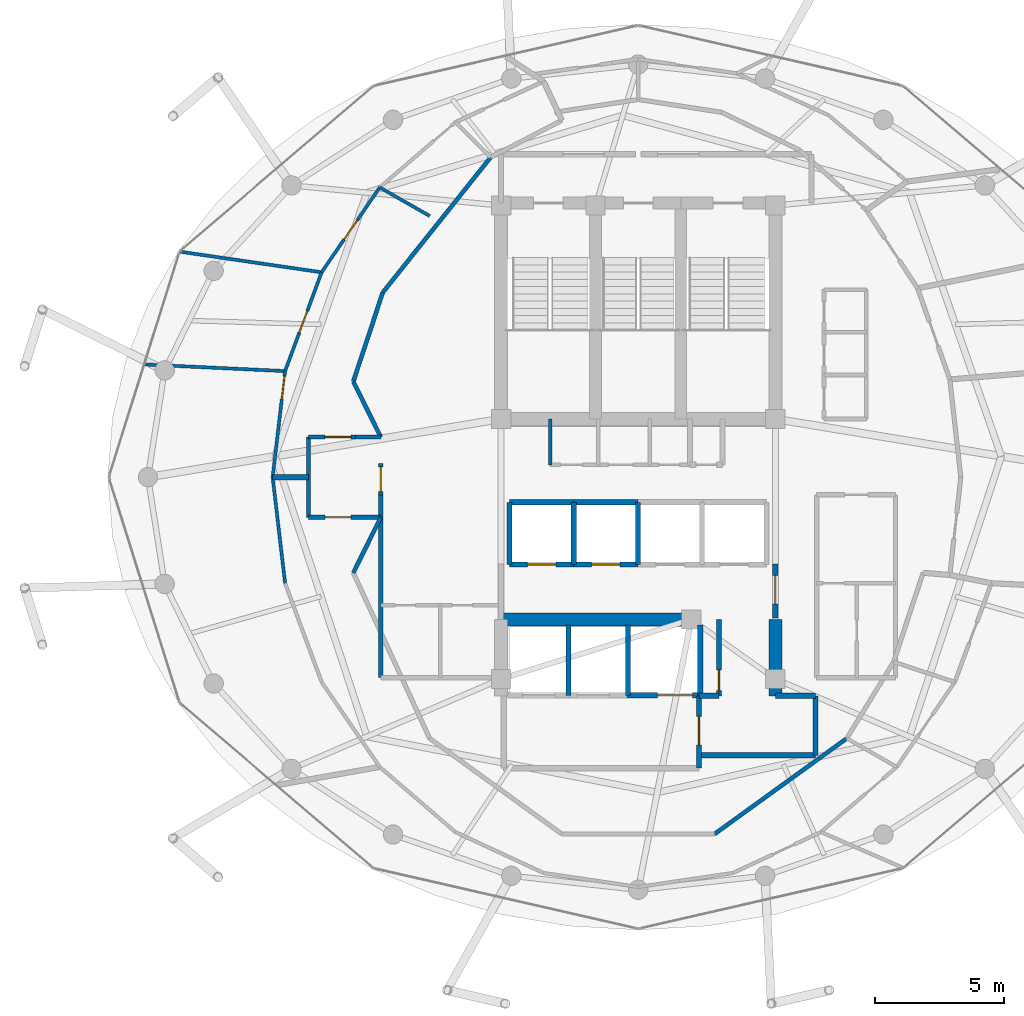
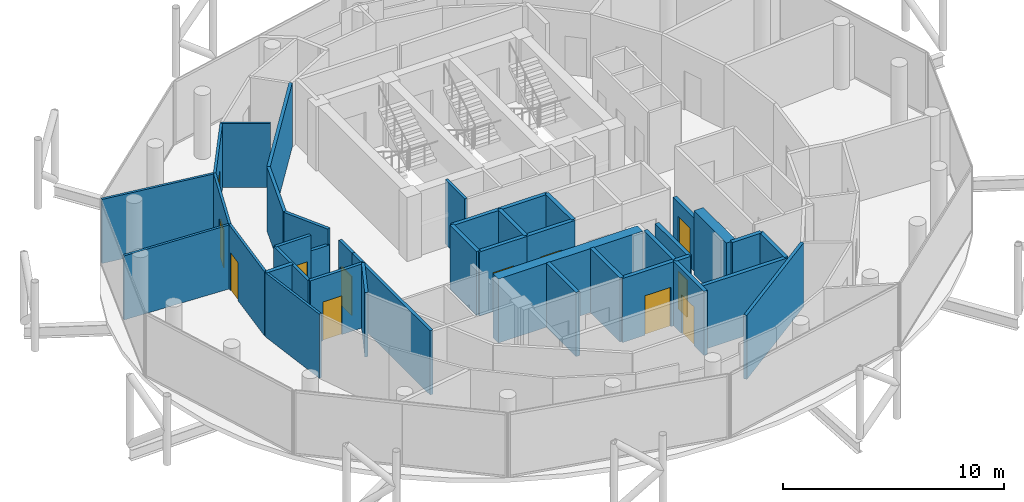
# One storey, part 20 of 24: 40 walls, 12 doors, 12 openings.
"""IFC4 building model written with IfcOpenShell, lengths in metres."""

from ifc_helpers import new_model, si_unit, direction, frame, frame_2d, origin, place, context, subcontext, project, spatial, rectangle, extrude, material, layer, layer_set, type_object, element, fill, save


model = new_model("IFC4")

# Units and contexts
model_context = context("Model", 3, precision=1e-05, world=origin(), true_north=direction((0.0, 1.0)))
body_context = subcontext(model_context, "Body", "Model", "MODEL_VIEW")
ifc_project = project(units=[si_unit("LENGTHUNIT", "METRE"), si_unit("AREAUNIT", "SQUARE_METRE"), si_unit("VOLUMEUNIT", "CUBIC_METRE"), si_unit("PLANEANGLEUNIT", "RADIAN"), si_unit("MASSUNIT", "GRAM", prefix="KILO")], contexts=[model_context])

# Site, building, storey
site_placement = place(None, origin())
site = spatial("IfcSite", under=ifc_project, at=site_placement, CompositionType="ELEMENT")
building_placement = place(site_placement, origin())
building = spatial("IfcBuilding", under=site, at=building_placement, Name="Nuhasar Tower", CompositionType="ELEMENT")
storey_placement = place(building_placement, frame((0.0, 0.0, 259.39990234375)))
storey = spatial("IfcBuildingStorey", under=building, at=storey_placement, Name="L64", CompositionType="ELEMENT", Elevation=259.39990234375)

# Walls
ifc_material_1 = material(Name="Concrete C50/60", Category="concrete")
ifc_layer_1 = layer(ifc_material_1, 0.5)
ifc_layer_set_1 = layer_set([ifc_layer_1], Name="Concrete C50/60")
wall_type_1 = type_object("IfcWallType", Name="WL-CORE-500", PredefinedType="SHEAR", material=ifc_layer_set_1)
wall_1_placement = place(storey_placement, frame((44.300048828125, 18.35009765625, 0.0), z_axis=(0.0, 0.0, 1.0), x_axis=(0.0, 1.0, 0.0)))
element("IfcWall", 1, at=wall_1_placement, inside=storey, type_object=wall_type_1, Name="L64 Core Shear Wall CW-SE CW-500", PredefinedType="SHEAR", context=body_context, shape_type="SweptSolid", body=[
    extrude(rectangle(XDim=2.949951171875, YDim=0.5, at=frame_2d((1.47509765625, 0.0))), origin(), (0.0, 0.0, 1.0), 3.5400390625),
])
wall_2_placement = place(storey_placement, frame((33.699951171875, 21.300048828125, 0.0), z_axis=(0.0, 0.0, 1.0), x_axis=(1.0, 0.0, 0.0)))
element("IfcWall", 2, at=wall_2_placement, inside=storey, type_object=wall_type_1, Name="L64 Core Shear Wall CW-S1 CW-500", PredefinedType="SHEAR", context=body_context, shape_type="SweptSolid", body=[
    extrude(rectangle(XDim=7.550048828125, YDim=0.5, at=frame_2d((3.77490234375, 0.0))), origin(), (0.0, 0.0, 1.0), 3.5400390625),
])
ifc_material_2 = material(Name="Gypsum Board", Category="gypsum")
ifc_layer_2 = layer(ifc_material_2, 0.159912109375)
ifc_layer_set_2 = layer_set([ifc_layer_2], Name="Gypsum Board")
wall_type_2 = type_object("IfcWallType", Name="WL-CORR-160", PredefinedType="PARTITIONING", material=ifc_layer_set_2)
wall_3_placement = place(storey_placement, frame((29.050048828125, 19.050048828125, 0.0), z_axis=(0.0, 0.0, 1.0), x_axis=(0.0, 1.0, 0.0)))
element("IfcWall", 3, at=wall_3_placement, inside=storey, type_object=wall_type_2, Name="L64 Interior Partition RECL-B1-W", PredefinedType="PARTITIONING", context=body_context, shape_type="SweptSolid", body=[
    extrude(rectangle(XDim=7.070068359375, YDim=0.159912109375, at=frame_2d((3.53515625, 0.0))), origin(), (0.0, 0.0, 1.0), 3.5400390625),
])

# Wall, opening, door
wall_4_placement = place(storey_placement, frame((29.050048828125, 26.1201171875, 0.0), z_axis=(0.0, 0.0, 1.0), x_axis=(0.0, 1.0, 0.0)))
wall_4 = element("IfcWall", 4, at=wall_4_placement, inside=storey, type_object=wall_type_2, Name="L64 Interior Partition WVEST-E", PredefinedType="PARTITIONING", context=body_context, shape_type="SweptSolid", body=[
    extrude(rectangle(XDim=1.199951171875, YDim=0.159912109375, at=frame_2d((0.60009765625, 0.0))), origin(), (0.0, 0.0, 1.0), 3.5400390625),
])
opening_1_placement = place(wall_4_placement, frame((0.125, 0.0, 0.0)))
opening_1 = element("IfcOpeningElement", 5, at=opening_1_placement, cuts=wall_4, Name="Opening DO-01", PredefinedType="OPENING", context=body_context, shape_type="SweptSolid", body=[
    extrude(rectangle(XDim=0.949951171875, YDim=2.14990234375, at=frame_2d((0.47509765625, 1.074951171875))), frame((0.0, 0.08984375, 0.0), z_axis=(0.0, -1.0, 0.0), x_axis=(1.0, 0.0, 0.0)), (0.0, 0.0, 1.0), 0.179931640625),
])
ifc_material_3 = material(Name="Timber Oak", Category="wood")
door_type_1 = type_object("IfcDoorType", Name="DR-OFFICE-FD30-950", OperationType="NOTDEFINED", PredefinedType="DOOR", material=ifc_material_3)
door_1_placement = place(opening_1_placement, origin())
door_1 = element("IfcDoor", 6, at=door_1_placement, inside=storey, type_object=door_type_1, Name="L64 West Arrival Foyer Core Door", OperationType="SINGLE_SWING_RIGHT", OverallHeight=2.14990234375, OverallWidth=0.949951171875, PredefinedType="DOOR", context=body_context, shape_type="SweptSolid", body=[
    extrude(rectangle(XDim=0.949951171875, YDim=2.14990234375, at=frame_2d((0.47509765625, 1.074951171875))), frame((0.0, 0.02490234375, 0.0), z_axis=(0.0, -1.0, 0.0), x_axis=(1.0, 0.0, 0.0)), (0.0, 0.0, 1.0), 0.050048828125),
])
fill(opening_1, door_1)

# Walls
wall_5_placement = place(storey_placement, frame((33.300048828125, 39.1669921875, 0.0), z_axis=(0.0, 0.0, 1.0), x_axis=(-0.623915746766, -0.781491612839, 0.0)))
element("IfcWall", 7, at=wall_5_placement, inside=storey, type_object=wall_type_2, Name="L64 Interior Partition UWEST-CORE-N2-16", PredefinedType="PARTITIONING", context=body_context, shape_type="SweptSolid", body=[
    extrude(rectangle(XDim=6.6884765625, YDim=0.159912109375, at=frame_2d((3.34423828125, 0.0))), origin(), (0.0, 0.0, 1.0), 3.5400390625),
])
wall_6_placement = place(storey_placement, frame((29.126953125, 33.93994140625, 0.0), z_axis=(0.0, 0.0, 1.0), x_axis=(-0.313985571683, -0.949427754374, 0.0)))
element("IfcWall", 8, at=wall_6_placement, inside=storey, type_object=wall_type_2, Name="L64 Interior Partition UWEST-CORE-N2-20", PredefinedType="PARTITIONING", context=body_context, shape_type="SweptSolid", body=[
    extrude(rectangle(XDim=3.627197265625, YDim=0.159912109375, at=frame_2d((1.8134765625, 0.0))), origin(), (0.0, 0.0, 1.0), 3.5400390625),
])
wall_7_placement = place(storey_placement, frame((41.950927734375, 13.007080078125, 0.0), z_axis=(0.0, 0.0, 1.0), x_axis=(0.810290119061, 0.586028943784, 0.0)))
element("IfcWall", 9, at=wall_7_placement, inside=storey, type_object=wall_type_2, Name="L64 Interior Partition UWEST-CORE-S1-38", PredefinedType="PARTITIONING", context=body_context, shape_type="SweptSolid", body=[
    extrude(rectangle(XDim=6.306396484375, YDim=0.159912109375, at=frame_2d((3.1533203125, 0.0))), origin(), (0.0, 0.0, 1.0), 3.5400390625),
])

# Wall, opening, door
wall_8_placement = place(storey_placement, frame((26.25, 28.35009765625, 0.0), z_axis=(0.0, 0.0, 1.0), x_axis=(1.0, 0.0, 0.0)))
wall_8 = element("IfcWall", 10, at=wall_8_placement, inside=storey, type_object=wall_type_2, Name="L64 Interior Partition WVEST-N", PredefinedType="PARTITIONING", context=body_context, shape_type="SweptSolid", body=[
    extrude(rectangle(XDim=1.820068359375, YDim=0.159912109375, at=frame_2d((0.91015625, 0.0))), origin(), (0.0, 0.0, 1.0), 3.5400390625),
])
opening_2_placement = place(wall_8_placement, frame((0.64990234375, 0.0, 0.0)))
opening_2 = element("IfcOpeningElement", 11, at=opening_2_placement, cuts=wall_8, Name="Opening DU-02", PredefinedType="OPENING", context=body_context, shape_type="SweptSolid", body=[
    extrude(rectangle(XDim=1.0, YDim=2.14990234375, at=frame_2d((0.5, 1.074951171875))), frame((0.0, 0.08984375, 0.0), z_axis=(0.0, -1.0, 0.0), x_axis=(1.0, 0.0, 0.0)), (0.0, 0.0, 1.0), 0.179931640625),
])
door_type_2 = type_object("IfcDoorType", Name="DR-FLAT-FD60-1000", OperationType="NOTDEFINED", PredefinedType="DOOR", material=ifc_material_3)
door_2_placement = place(opening_2_placement, origin())
door_2 = element("IfcDoor", 12, at=door_2_placement, inside=storey, type_object=door_type_2, Name="L64 North-West Sky Home Entrance", OperationType="SINGLE_SWING_LEFT", OverallHeight=2.14990234375, OverallWidth=1.0, PredefinedType="DOOR", context=body_context, shape_type="SweptSolid", body=[
    extrude(rectangle(XDim=1.0, YDim=2.14990234375, at=frame_2d((0.5, 1.074951171875))), frame((0.0, 0.02490234375, 0.0), z_axis=(0.0, -1.0, 0.0), x_axis=(1.0, 0.0, 0.0)), (0.0, 0.0, 1.0), 0.050048828125),
])
fill(opening_2, door_2)

# Wall
wall_9_placement = place(storey_placement, frame((28.070068359375, 28.35009765625, 0.0), z_axis=(0.0, 0.0, 1.0), x_axis=(1.0, 0.0, 0.0)))
element("IfcWall", 13, at=wall_9_placement, inside=storey, type_object=wall_type_2, Name="L64 Interior Partition WVEST-N", PredefinedType="PARTITIONING", context=body_context, shape_type="SweptSolid", body=[
    extrude(rectangle(XDim=0.97998046875, YDim=0.159912109375, at=frame_2d((0.489990234375, 0.0))), origin(), (0.0, 0.0, 1.0), 2.68017578125),
])

# Wall, opening, door
wall_10_placement = place(storey_placement, frame((26.25, 25.25, 0.0), z_axis=(0.0, 0.0, 1.0), x_axis=(1.0, 0.0, 0.0)))
wall_10 = element("IfcWall", 14, at=wall_10_placement, inside=storey, type_object=wall_type_2, Name="L64 Interior Partition WVEST-S", PredefinedType="PARTITIONING", context=body_context, shape_type="SweptSolid", body=[
    extrude(rectangle(XDim=2.800048828125, YDim=0.159912109375, at=frame_2d((1.39990234375, 0.0))), origin(), (0.0, 0.0, 1.0), 3.5400390625),
])
opening_3_placement = place(wall_10_placement, frame((0.64990234375, 0.0, 0.0)))
opening_3 = element("IfcOpeningElement", 15, at=opening_3_placement, cuts=wall_10, Name="Opening DU-02", PredefinedType="OPENING", context=body_context, shape_type="SweptSolid", body=[
    extrude(rectangle(XDim=1.0, YDim=2.14990234375, at=frame_2d((0.5, 1.074951171875))), frame((0.0, 0.08984375, 0.0), z_axis=(0.0, -1.0, 0.0), x_axis=(1.0, 0.0, 0.0)), (0.0, 0.0, 1.0), 0.179931640625),
])
door_3_placement = place(opening_3_placement, origin())
door_3 = element("IfcDoor", 16, at=door_3_placement, inside=storey, type_object=door_type_2, Name="L64 South-West Sky Home Entrance", OperationType="SINGLE_SWING_LEFT", OverallHeight=2.14990234375, OverallWidth=1.0, PredefinedType="DOOR", context=body_context, shape_type="SweptSolid", body=[
    extrude(rectangle(XDim=1.0, YDim=2.14990234375, at=frame_2d((0.5, 1.074951171875))), frame((0.0, 0.02490234375, 0.0), z_axis=(0.0, -1.0, 0.0), x_axis=(1.0, 0.0, 0.0)), (0.0, 0.0, 1.0), 0.050048828125),
])
fill(opening_3, door_3)

# Walls
wall_11_placement = place(storey_placement, frame((26.25, 25.25, 0.0), z_axis=(0.0, 0.0, 1.0), x_axis=(0.0, 1.0, 0.0)))
element("IfcWall", 17, at=wall_11_placement, inside=storey, type_object=wall_type_2, Name="L64 Interior Partition WVEST-W", PredefinedType="PARTITIONING", context=body_context, shape_type="SweptSolid", body=[
    extrude(rectangle(XDim=3.10009765625, YDim=0.159912109375, at=frame_2d((1.550048828125, 0.0))), origin(), (0.0, 0.0, 1.0), 3.5400390625),
])
for number, where, z_axis, x_axis, name in (
    (18, (27.988037109375, 30.49609375, 0.0), (0.0, 0.0, 1.0), (0.443539160525, -0.896254993337, 0.0), "L64 Interior Partition WVEST-CN"),
    (19, (27.988037109375, 23.10400390625, 0.0), (0.0, 0.0, 1.0), (0.443539160525, 0.896254993337, 0.0), "L64 Interior Partition WVEST-CS"),
):
    element("IfcWall", number, at=place(storey_placement, frame(where, z_axis=z_axis, x_axis=x_axis)), inside=storey, type_object=wall_type_2, Name=name, PredefinedType="PARTITIONING", context=body_context, shape_type="SweptSolid", body=[
        extrude(rectangle(XDim=2.394287109375, YDim=0.159912109375, at=frame_2d((1.197265625, 0.0))), origin(), (0.0, 0.0, 1.0), 3.5400390625),
    ])

# Wall, opening, door
ifc_material_4 = material(Name="Concrete C45/55", Category="concrete")
ifc_layer_3 = layer(ifc_material_4, 0.199951171875)
ifc_layer_set_3 = layer_set([ifc_layer_3], Name="Concrete C45/55")
wall_type_3 = type_object("IfcWallType", Name="WL-LOBBY-200", PredefinedType="SOLIDWALL", material=ifc_layer_set_3)
wall_12_placement = place(storey_placement, frame((44.300048828125, 21.35009765625, 0.0), z_axis=(0.0, 0.0, 1.0), x_axis=(0.0, 1.0, 0.0)))
wall_12 = element("IfcWall", 20, at=wall_12_placement, inside=storey, type_object=wall_type_3, Name="L64 Interior Partition LLBH-E", PredefinedType="SOLIDWALL", context=body_context, shape_type="SweptSolid", body=[
    extrude(rectangle(XDim=2.099853515625, YDim=0.199951171875, at=frame_2d((1.0498046875, 0.0))), origin(), (0.0, 0.0, 1.0), 2.925048828125),
])
opening_4_placement = place(wall_12_placement, frame((0.550048828125, 0.0, 0.0)))
opening_4 = element("IfcOpeningElement", 21, at=opening_4_placement, cuts=wall_12, Name="Opening DS-02", PredefinedType="OPENING", context=body_context, shape_type="SweptSolid", body=[
    extrude(rectangle(XDim=1.10009765625, YDim=2.14990234375, at=frame_2d((0.550048828125, 1.074951171875))), frame((0.0, 0.10986328125, 0.0), z_axis=(0.0, -1.0, 0.0), x_axis=(1.0, 0.0, 0.0)), (0.0, 0.0, 1.0), 0.219970703125),
])
ifc_material_5 = material(Name="Steel S355", Category="steel")
door_type_3 = type_object("IfcDoorType", Name="DR-FFL-FD120-1100", OperationType="NOTDEFINED", PredefinedType="DOOR", material=ifc_material_5)
door_4_placement = place(opening_4_placement, origin())
door_4 = element("IfcDoor", 22, at=door_4_placement, inside=storey, type_object=door_type_3, Name="L64 High-Rise Lobby East Door", OperationType="SINGLE_SWING_RIGHT", OverallHeight=2.14990234375, OverallWidth=1.10009765625, PredefinedType="DOOR", context=body_context, shape_type="SweptSolid", body=[
    extrude(rectangle(XDim=1.10009765625, YDim=2.14990234375, at=frame_2d((0.550048828125, 1.074951171875))), frame((0.0, 0.02490234375, 0.0), z_axis=(0.0, -1.0, 0.0), x_axis=(1.0, 0.0, 0.0)), (0.0, 0.0, 1.0), 0.050048828125),
])
fill(opening_4, door_4)

wall_13_placement = place(storey_placement, frame((41.35009765625, 15.550048828125, 0.0), z_axis=(0.0, 0.0, 1.0), x_axis=(0.0, 1.0, 0.0)))
wall_13 = element("IfcWall", 23, at=wall_13_placement, inside=storey, type_object=wall_type_3, Name="L64 Interior Partition FFL-E", PredefinedType="SOLIDWALL", context=body_context, shape_type="SweptSolid", body=[
    extrude(rectangle(XDim=2.800048828125, YDim=0.199951171875, at=frame_2d((1.39990234375, 0.0))), origin(), (0.0, 0.0, 1.0), 3.5400390625),
])
opening_5_placement = place(wall_13_placement, frame((0.89990234375, 0.0, 0.0)))
opening_5 = element("IfcOpeningElement", 24, at=opening_5_placement, cuts=wall_13, Name="Opening DS-02", PredefinedType="OPENING", context=body_context, shape_type="SweptSolid", body=[
    extrude(rectangle(XDim=1.10009765625, YDim=2.14990234375, at=frame_2d((0.550048828125, 1.074951171875))), frame((0.0, 0.10986328125, 0.0), z_axis=(0.0, -1.0, 0.0), x_axis=(1.0, 0.0, 0.0)), (0.0, 0.0, 1.0), 0.219970703125),
])
door_5_placement = place(opening_5_placement, origin())
door_5 = element("IfcDoor", 25, at=door_5_placement, inside=storey, type_object=door_type_3, Name="L64 Firefighting Lobby Door", OperationType="SINGLE_SWING_RIGHT", OverallHeight=2.14990234375, OverallWidth=1.10009765625, PredefinedType="DOOR", context=body_context, shape_type="SweptSolid", body=[
    extrude(rectangle(XDim=1.10009765625, YDim=2.14990234375, at=frame_2d((0.550048828125, 1.074951171875))), frame((0.0, 0.02490234375, 0.0), z_axis=(0.0, -1.0, 0.0), x_axis=(1.0, 0.0, 0.0)), (0.0, 0.0, 1.0), 0.050048828125),
])
fill(opening_5, door_5)

# Walls
wall_14_placement = place(storey_placement, frame((41.35009765625, 16.050048828125, 0.0), z_axis=(0.0, 0.0, 1.0), x_axis=(1.0, 0.0, 0.0)))
element("IfcWall", 26, at=wall_14_placement, inside=storey, type_object=wall_type_3, Name="L64 Interior Partition SVLV-S", PredefinedType="SOLIDWALL", context=body_context, shape_type="SweptSolid", body=[
    extrude(rectangle(XDim=4.5, YDim=0.199951171875, at=frame_2d((2.25, 0.0))), origin(), (0.0, 0.0, 1.0), 3.5400390625),
])
wall_15_placement = place(storey_placement, frame((45.85009765625, 16.050048828125, 0.0), z_axis=(0.0, 0.0, 1.0), x_axis=(0.0, 1.0, 0.0)))
element("IfcWall", 27, at=wall_15_placement, inside=storey, type_object=wall_type_3, Name="L64 Interior Partition SVLV-E", PredefinedType="SOLIDWALL", context=body_context, shape_type="SweptSolid", body=[
    extrude(rectangle(XDim=2.300048828125, YDim=0.199951171875, at=frame_2d((1.14990234375, 0.0))), origin(), (0.0, 0.0, 1.0), 3.5400390625),
])
wall_16_placement = place(storey_placement, frame((44.300048828125, 18.35009765625, 0.0), z_axis=(0.0, 0.0, 1.0), x_axis=(1.0, 0.0, 0.0)))
element("IfcWall", 28, at=wall_16_placement, inside=storey, type_object=wall_type_3, Name="L64 Interior Partition SVLV-N", PredefinedType="SOLIDWALL", context=body_context, shape_type="SweptSolid", body=[
    extrude(rectangle(XDim=1.550048828125, YDim=0.199951171875, at=frame_2d((0.77490234375, 0.0))), origin(), (0.0, 0.0, 1.0), 3.5400390625),
])
ifc_layer_4 = layer(ifc_material_2, 0.125)
ifc_layer_set_4 = layer_set([ifc_layer_4], Name="Gypsum Board")
wall_type_4 = type_object("IfcWallType", Name="WL-PART-125", PredefinedType="PARTITIONING", material=ifc_layer_set_4)
wall_17_placement = place(storey_placement, frame((30.93896484375, 36.89697265625, 0.0), z_axis=(0.0, 0.0, 1.0), x_axis=(-0.868013301924, 0.496540942606, 0.0)))
element("IfcWall", 29, at=wall_17_placement, inside=storey, type_object=wall_type_4, Name="L64 Interior Partition USI-1-KD", PredefinedType="PARTITIONING", context=body_context, shape_type="SweptSolid", body=[
    extrude(rectangle(XDim=2.223388671875, YDim=0.125, at=frame_2d((1.11181640625, 0.0))), origin(), (0.0, 0.0, 1.0), 3.5400390625),
])

# Wall, opening, door
wall_18_placement = place(storey_placement, frame((26.762939453125, 34.719970703125, 0.0), z_axis=(0.0, 0.0, 1.0), x_axis=(0.564888606623, 0.825167172219, 0.0)))
wall_18 = element("IfcWall", 30, at=wall_18_placement, inside=storey, type_object=wall_type_4, Name="L64 Interior Partition USM-1-D-18", PredefinedType="PARTITIONING", context=body_context, shape_type="SweptSolid", body=[
    extrude(rectangle(XDim=3.97607421875, YDim=0.125, at=frame_2d((1.988037109375, 0.0))), origin(), (0.0, 0.0, 1.0), 3.5400390625),
])
opening_6_placement = place(wall_18_placement, frame((1.5380859375, 0.0, 0.0)))
opening_6 = element("IfcOpeningElement", 31, at=opening_6_placement, cuts=wall_18, Name="Opening DR-01", PredefinedType="OPENING", context=body_context, shape_type="SweptSolid", body=[
    extrude(rectangle(XDim=0.89990234375, YDim=2.10009765625, at=frame_2d((0.449951171875, 1.050048828125))), frame((0.0, 0.072509765625, 0.0), z_axis=(0.0, -1.0, 0.0), x_axis=(1.0, 0.0, 0.0)), (0.0, 0.0, 1.0), 0.14501953125),
])
door_type_4 = type_object("IfcDoorType", Name="DR-ROOM-900", OperationType="NOTDEFINED", PredefinedType="DOOR", material=ifc_material_3)
door_6_placement = place(opening_6_placement, origin())
door_6 = element("IfcDoor", 32, at=door_6_placement, inside=storey, type_object=door_type_4, Name="L64 North-West Sky Home Master Bedroom Door", OperationType="SINGLE_SWING_LEFT", OverallHeight=2.10009765625, OverallWidth=0.89990234375, PredefinedType="DOOR", context=body_context, shape_type="SweptSolid", body=[
    extrude(rectangle(XDim=0.89990234375, YDim=2.10009765625, at=frame_2d((0.449951171875, 1.050048828125))), frame((0.0, 0.02490234375, 0.0), z_axis=(0.0, -1.0, 0.0), x_axis=(1.0, 0.0, 0.0)), (0.0, 0.0, 1.0), 0.050048828125),
])
fill(opening_6, door_6)

wall_19_placement = place(storey_placement, frame((25.35107421875, 30.89990234375, 0.0), z_axis=(0.0, 0.0, 1.0), x_axis=(0.346671925992, 0.937986447519, 0.0)))
wall_19 = element("IfcWall", 33, at=wall_19_placement, inside=storey, type_object=wall_type_4, Name="L64 Interior Partition USM-1-D-20", PredefinedType="PARTITIONING", context=body_context, shape_type="SweptSolid", body=[
    extrude(rectangle(XDim=4.072509765625, YDim=0.125, at=frame_2d((2.0361328125, 0.0))), origin(), (0.0, 0.0, 1.0), 3.5400390625),
])
opening_7_placement = place(wall_19_placement, frame((1.5859375, 0.0, 0.0)))
opening_7 = element("IfcOpeningElement", 34, at=opening_7_placement, cuts=wall_19, Name="Opening DR-01", PredefinedType="OPENING", context=body_context, shape_type="SweptSolid", body=[
    extrude(rectangle(XDim=0.89990234375, YDim=2.10009765625, at=frame_2d((0.449951171875, 1.050048828125))), frame((0.0, 0.072509765625, 0.0), z_axis=(0.0, -1.0, 0.0), x_axis=(1.0, 0.0, 0.0)), (0.0, 0.0, 1.0), 0.14501953125),
])
door_7_placement = place(opening_7_placement, origin())
door_7 = element("IfcDoor", 35, at=door_7_placement, inside=storey, type_object=door_type_4, Name="L64 North-West Sky Home Study Door", OperationType="SINGLE_SWING_RIGHT", OverallHeight=2.10009765625, OverallWidth=0.89990234375, PredefinedType="DOOR", context=body_context, shape_type="SweptSolid", body=[
    extrude(rectangle(XDim=0.89990234375, YDim=2.10009765625, at=frame_2d((0.449951171875, 1.050048828125))), frame((0.0, 0.02490234375, 0.0), z_axis=(0.0, -1.0, 0.0), x_axis=(1.0, 0.0, 0.0)), (0.0, 0.0, 1.0), 0.050048828125),
])
fill(opening_7, door_7)

wall_20_placement = place(storey_placement, frame((24.8701171875, 26.800048828125, 0.0), z_axis=(0.0, 0.0, 1.0), x_axis=(0.116511816348, 0.993189305546, 0.0)))
wall_20 = element("IfcWall", 36, at=wall_20_placement, inside=storey, type_object=wall_type_4, Name="L64 Interior Partition USM-1-D-22", PredefinedType="PARTITIONING", context=body_context, shape_type="SweptSolid", body=[
    extrude(rectangle(XDim=4.1279296875, YDim=0.125, at=frame_2d((2.06396484375, 0.0))), origin(), (0.0, 0.0, 1.0), 3.5400390625),
])
opening_8_placement = place(wall_20_placement, frame((3.028076171875, 0.0, 0.0)))
opening_8 = element("IfcOpeningElement", 37, at=opening_8_placement, cuts=wall_20, Name="Opening DR-01", PredefinedType="OPENING", context=body_context, shape_type="SweptSolid", body=[
    extrude(rectangle(XDim=0.89990234375, YDim=2.10009765625, at=frame_2d((0.449951171875, 1.050048828125))), frame((0.0, 0.072509765625, 0.0), z_axis=(0.0, -1.0, 0.0), x_axis=(1.0, 0.0, 0.0)), (0.0, 0.0, 1.0), 0.14501953125),
])
door_8_placement = place(opening_8_placement, origin())
door_8 = element("IfcDoor", 38, at=door_8_placement, inside=storey, type_object=door_type_4, Name="L64 North-West Sky Home Living Door", OperationType="SINGLE_SWING_RIGHT", OverallHeight=2.10009765625, OverallWidth=0.89990234375, PredefinedType="DOOR", context=body_context, shape_type="SweptSolid", body=[
    extrude(rectangle(XDim=0.89990234375, YDim=2.10009765625, at=frame_2d((0.449951171875, 1.050048828125))), frame((0.0, 0.02490234375, 0.0), z_axis=(0.0, -1.0, 0.0), x_axis=(1.0, 0.0, 0.0)), (0.0, 0.0, 1.0), 0.050048828125),
])
fill(opening_8, door_8)

# Walls
wall_21_placement = place(storey_placement, frame((24.8701171875, 26.800048828125, 0.0), z_axis=(0.0, 0.0, 1.0), x_axis=(0.116504972814, -0.993190108343, 0.0)))
element("IfcWall", 39, at=wall_21_placement, inside=storey, type_object=wall_type_4, Name="L64 Interior Partition USM-1-D-24", PredefinedType="PARTITIONING", context=body_context, shape_type="SweptSolid", body=[
    extrude(rectangle(XDim=4.128173828125, YDim=0.125, at=frame_2d((2.06396484375, 0.0))), origin(), (0.0, 0.0, 1.0), 3.5400390625),
])
wall_22_placement = place(storey_placement, frame((26.762939453125, 34.719970703125, 0.0), z_axis=(0.0, 0.0, 1.0), x_axis=(-0.989587357403, 0.143933533511, 0.0)))
element("IfcWall", 40, at=wall_22_placement, inside=storey, type_object=wall_type_4, Name="L64 Interior Partition USO-1-B1", PredefinedType="PARTITIONING", context=body_context, shape_type="SweptSolid", body=[
    extrude(rectangle(XDim=5.50927734375, YDim=0.125, at=frame_2d((2.754638671875, 0.0))), origin(), (0.0, 0.0, 1.0), 3.5400390625),
])
wall_23_placement = place(storey_placement, frame((25.35107421875, 30.89990234375, 0.0), z_axis=(0.0, 0.0, 1.0), x_axis=(-0.998872011246, 0.047483735626, 0.0)))
element("IfcWall", 41, at=wall_23_placement, inside=storey, type_object=wall_type_4, Name="L64 Interior Partition USO-1-B2", PredefinedType="PARTITIONING", context=body_context, shape_type="SweptSolid", body=[
    extrude(rectangle(XDim=5.4140625, YDim=0.125, at=frame_2d((2.70703125, 0.0))), origin(), (0.0, 0.0, 1.0), 3.5400390625),
])

# Wall, opening, door
ifc_layer_5 = layer(ifc_material_4, 0.199951171875)
ifc_layer_set_5 = layer_set([ifc_layer_5], Name="Concrete C45/55")
wall_type_5 = type_object("IfcWallType", Name="WL-SHAFT-200", PredefinedType="SOLIDWALL", material=ifc_layer_set_5)
wall_24_placement = place(storey_placement, frame((34.02001953125, 23.419921875, 0.0), z_axis=(0.0, 0.0, 1.0), x_axis=(1.0, 0.0, 0.0)))
wall_24 = element("IfcWall", 42, at=wall_24_placement, inside=storey, type_object=wall_type_5, Name="L64 Interior Partition SHF-PL-H01-S", PredefinedType="SOLIDWALL", context=body_context, shape_type="SweptSolid", body=[
    extrude(rectangle(XDim=2.5, YDim=0.199951171875, at=frame_2d((1.25, 0.0))), origin(), (0.0, 0.0, 1.0), 3.5400390625),
])
opening_9_placement = place(wall_24_placement, frame((0.699951171875, 0.0, 0.0)))
opening_9 = element("IfcOpeningElement", 43, at=opening_9_placement, cuts=wall_24, Name="Opening LD-H01", PredefinedType="OPENING", context=body_context, shape_type="SweptSolid", body=[
    extrude(rectangle(XDim=1.10009765625, YDim=2.14990234375, at=frame_2d((0.550048828125, 1.074951171875))), frame((0.0, 0.10986328125, 0.0), z_axis=(0.0, -1.0, 0.0), x_axis=(1.0, 0.0, 0.0)), (0.0, 0.0, 1.0), 0.219970703125),
])
ifc_material_6 = material(Name="Stainless Steel 316L", Category="steel")
door_type_5 = type_object("IfcDoorType", Name="LD-PAX-1100", OperationType="DOUBLE_DOOR_SLIDING", PredefinedType="DOOR", material=ifc_material_6)
door_9_placement = place(opening_9_placement, origin())
door_9 = element("IfcDoor", 44, at=door_9_placement, inside=storey, type_object=door_type_5, Name="L64 Lift Landing Door PL-H01", OperationType="DOUBLE_DOOR_SLIDING", OverallHeight=2.14990234375, OverallWidth=1.10009765625, PredefinedType="DOOR", context=body_context, shape_type="SweptSolid", body=[
    extrude(rectangle(XDim=1.10009765625, YDim=2.14990234375, at=frame_2d((0.550048828125, 1.074951171875))), frame((0.0, 0.02490234375, 0.0), z_axis=(0.0, -1.0, 0.0), x_axis=(1.0, 0.0, 0.0)), (0.0, 0.0, 1.0), 0.050048828125),
])
fill(opening_9, door_9)

# Walls
wall_25_placement = place(storey_placement, frame((34.02001953125, 25.830078125, 0.0), z_axis=(0.0, 0.0, 1.0), x_axis=(1.0, 0.0, 0.0)))
element("IfcWall", 45, at=wall_25_placement, inside=storey, type_object=wall_type_5, Name="L64 Interior Partition SHF-PL-H01-N", PredefinedType="SOLIDWALL", context=body_context, shape_type="SweptSolid", body=[
    extrude(rectangle(XDim=2.5, YDim=0.199951171875, at=frame_2d((1.25, 0.0))), origin(), (0.0, 0.0, 1.0), 3.5400390625),
])
for number, where, z_axis, x_axis, name in (
    (46, (34.02001953125, 23.419921875, 0.0), (0.0, 0.0, 1.0), (0.0, 1.0, 0.0), "L64 Interior Partition SHF-PL-H01-W"),
    (47, (36.510009765625, 23.419921875, 0.0), (0.0, 0.0, 1.0), (0.0, 1.0, 0.0), "L64 Interior Partition SHF-PL-H01-E"),
):
    element("IfcWall", number, at=place(storey_placement, frame(where, z_axis=z_axis, x_axis=x_axis)), inside=storey, type_object=wall_type_5, Name=name, PredefinedType="SOLIDWALL", context=body_context, shape_type="SweptSolid", body=[
        extrude(rectangle(XDim=2.41015625, YDim=0.199951171875, at=frame_2d((1.205078125, 0.0))), origin(), (0.0, 0.0, 1.0), 3.5400390625),
    ])

# Wall, opening, door
wall_26_placement = place(storey_placement, frame((36.5, 23.419921875, 0.0), z_axis=(0.0, 0.0, 1.0), x_axis=(1.0, 0.0, 0.0)))
wall_26 = element("IfcWall", 48, at=wall_26_placement, inside=storey, type_object=wall_type_5, Name="L64 Interior Partition SHF-PL-H02-S", PredefinedType="SOLIDWALL", context=body_context, shape_type="SweptSolid", body=[
    extrude(rectangle(XDim=2.5, YDim=0.199951171875, at=frame_2d((1.25, 0.0))), origin(), (0.0, 0.0, 1.0), 3.5400390625),
])
opening_10_placement = place(wall_26_placement, frame((0.699951171875, 0.0, 0.0)))
opening_10 = element("IfcOpeningElement", 49, at=opening_10_placement, cuts=wall_26, Name="Opening LD-H02", PredefinedType="OPENING", context=body_context, shape_type="SweptSolid", body=[
    extrude(rectangle(XDim=1.10009765625, YDim=2.14990234375, at=frame_2d((0.550048828125, 1.074951171875))), frame((0.0, 0.10986328125, 0.0), z_axis=(0.0, -1.0, 0.0), x_axis=(1.0, 0.0, 0.0)), (0.0, 0.0, 1.0), 0.219970703125),
])
door_10_placement = place(opening_10_placement, origin())
door_10 = element("IfcDoor", 50, at=door_10_placement, inside=storey, type_object=door_type_5, Name="L64 Lift Landing Door PL-H02", OperationType="DOUBLE_DOOR_SLIDING", OverallHeight=2.14990234375, OverallWidth=1.10009765625, PredefinedType="DOOR", context=body_context, shape_type="SweptSolid", body=[
    extrude(rectangle(XDim=1.10009765625, YDim=2.14990234375, at=frame_2d((0.550048828125, 1.074951171875))), frame((0.0, 0.02490234375, 0.0), z_axis=(0.0, -1.0, 0.0), x_axis=(1.0, 0.0, 0.0)), (0.0, 0.0, 1.0), 0.050048828125),
])
fill(opening_10, door_10)

# Walls
wall_27_placement = place(storey_placement, frame((36.5, 25.830078125, 0.0), z_axis=(0.0, 0.0, 1.0), x_axis=(1.0, 0.0, 0.0)))
element("IfcWall", 51, at=wall_27_placement, inside=storey, type_object=wall_type_5, Name="L64 Interior Partition SHF-PL-H02-N", PredefinedType="SOLIDWALL", context=body_context, shape_type="SweptSolid", body=[
    extrude(rectangle(XDim=2.5, YDim=0.199951171875, at=frame_2d((1.25, 0.0))), origin(), (0.0, 0.0, 1.0), 3.5400390625),
])
wall_28_placement = place(storey_placement, frame((38.989990234375, 23.419921875, 0.0), z_axis=(0.0, 0.0, 1.0), x_axis=(0.0, 1.0, 0.0)))
element("IfcWall", 52, at=wall_28_placement, inside=storey, type_object=wall_type_5, Name="L64 Interior Partition SHF-PL-H02-E", PredefinedType="SOLIDWALL", context=body_context, shape_type="SweptSolid", body=[
    extrude(rectangle(XDim=2.41015625, YDim=0.199951171875, at=frame_2d((1.205078125, 0.0))), origin(), (0.0, 0.0, 1.0), 3.5400390625),
])
for number, where, z_axis, x_axis, name in (
    (53, (36.300048828125, 18.3701171875, 0.0), (0.0, 0.0, 1.0), (0.0, 1.0, 0.0), "L64 Interior Partition SHF-FFL-01-E"),
    (54, (38.60009765625, 18.3701171875, 0.0), (0.0, 0.0, 1.0), (0.0, 1.0, 0.0), "L64 Interior Partition SHF-FFL-02-E"),
):
    element("IfcWall", number, at=place(storey_placement, frame(where, z_axis=z_axis, x_axis=x_axis)), inside=storey, type_object=wall_type_5, Name=name, PredefinedType="SOLIDWALL", context=body_context, shape_type="SweptSolid", body=[
        extrude(rectangle(XDim=2.7099609375, YDim=0.199951171875, at=frame_2d((1.35498046875, 0.0))), origin(), (0.0, 0.0, 1.0), 3.5400390625),
    ])

# Wall, opening, door
wall_29_placement = place(storey_placement, frame((38.570068359375, 18.3701171875, 0.0), z_axis=(0.0, 0.0, 1.0), x_axis=(1.0, 0.0, 0.0)))
wall_29 = element("IfcWall", 55, at=wall_29_placement, inside=storey, type_object=wall_type_5, Name="L64 Interior Partition SHF-SVL-01-S", PredefinedType="SOLIDWALL", context=body_context, shape_type="SweptSolid", body=[
    extrude(rectangle(XDim=2.829833984375, YDim=0.199951171875, at=frame_2d((1.4150390625, 0.0))), origin(), (0.0, 0.0, 1.0), 3.5400390625),
])
opening_11_placement = place(wall_29_placement, frame((1.179931640625, 0.0, 0.0)))
opening_11 = element("IfcOpeningElement", 56, at=opening_11_placement, cuts=wall_29, Name="Opening LD-S01", PredefinedType="OPENING", context=body_context, shape_type="SweptSolid", body=[
    extrude(rectangle(XDim=1.35009765625, YDim=2.179931640625, at=frame_2d((0.675048828125, 1.08984375))), frame((0.0, 0.10986328125, 0.0), z_axis=(0.0, -1.0, 0.0), x_axis=(1.0, 0.0, 0.0)), (0.0, 0.0, 1.0), 0.219970703125),
])
door_type_6 = type_object("IfcDoorType", Name="LD-SVL-1350", OperationType="DOUBLE_DOOR_SLIDING", PredefinedType="DOOR", material=ifc_material_6)
door_11_placement = place(opening_11_placement, origin())
door_11 = element("IfcDoor", 57, at=door_11_placement, inside=storey, type_object=door_type_6, Name="L64 Lift Landing Door SVL-01", OperationType="DOUBLE_DOOR_SLIDING", OverallHeight=2.179931640625, OverallWidth=1.35009765625, PredefinedType="DOOR", context=body_context, shape_type="SweptSolid", body=[
    extrude(rectangle(XDim=1.35009765625, YDim=2.179931640625, at=frame_2d((0.675048828125, 1.08984375))), frame((0.0, 0.02490234375, 0.0), z_axis=(0.0, -1.0, 0.0), x_axis=(1.0, 0.0, 0.0)), (0.0, 0.0, 1.0), 0.050048828125),
])
fill(opening_11, door_11)

# Wall
wall_30_placement = place(storey_placement, frame((41.39990234375, 18.3701171875, 0.0), z_axis=(0.0, 0.0, 1.0), x_axis=(0.0, 1.0, 0.0)))
element("IfcWall", 58, at=wall_30_placement, inside=storey, type_object=wall_type_5, Name="L64 Interior Partition SHF-SVL-01-E", PredefinedType="SOLIDWALL", context=body_context, shape_type="SweptSolid", body=[
    extrude(rectangle(XDim=2.7099609375, YDim=0.199951171875, at=frame_2d((1.35498046875, 0.0))), origin(), (0.0, 0.0, 1.0), 3.5400390625),
])

# Wall, opening, door
wall_31_placement = place(storey_placement, frame((42.1201171875, 18.35009765625, 0.0), z_axis=(0.0, 0.0, 1.0), x_axis=(0.0, 1.0, 0.0)))
wall_31 = element("IfcWall", 59, at=wall_31_placement, inside=storey, type_object=wall_type_5, Name="L64 Interior Partition RSR-E", PredefinedType="SOLIDWALL", context=body_context, shape_type="SweptSolid", body=[
    extrude(rectangle(XDim=2.949951171875, YDim=0.199951171875, at=frame_2d((1.47509765625, 0.0))), origin(), (0.0, 0.0, 1.0), 3.5400390625),
])
opening_12_placement = place(wall_31_placement, frame((0.199951171875, 0.0, 0.0)))
opening_12 = element("IfcOpeningElement", 60, at=opening_12_placement, cuts=wall_31, Name="Opening DM-01", PredefinedType="OPENING", context=body_context, shape_type="SweptSolid", body=[
    extrude(rectangle(XDim=0.800048828125, YDim=2.050048828125, at=frame_2d((0.39990234375, 1.02490234375))), frame((0.0, 0.10986328125, 0.0), z_axis=(0.0, -1.0, 0.0), x_axis=(1.0, 0.0, 0.0)), (0.0, 0.0, 1.0), 0.219970703125),
])
door_type_7 = type_object("IfcDoorType", Name="DR-RISER-FD60-800", OperationType="NOTDEFINED", PredefinedType="DOOR", material=ifc_material_5)
door_12_placement = place(opening_12_placement, origin())
door_12 = element("IfcDoor", 61, at=door_12_placement, inside=storey, type_object=door_type_7, Name="L64 MEP Riser Access Door", OperationType="SINGLE_SWING_LEFT", OverallHeight=2.050048828125, OverallWidth=0.800048828125, PredefinedType="DOOR", context=body_context, shape_type="SweptSolid", body=[
    extrude(rectangle(XDim=0.800048828125, YDim=2.050048828125, at=frame_2d((0.39990234375, 1.02490234375))), frame((0.0, 0.02490234375, 0.0), z_axis=(0.0, -1.0, 0.0), x_axis=(1.0, 0.0, 0.0)), (0.0, 0.0, 1.0), 0.050048828125),
])
fill(opening_12, door_12)

# Walls
wall_32_placement = place(storey_placement, frame((41.35009765625, 18.35009765625, 0.0), z_axis=(0.0, 0.0, 1.0), x_axis=(1.0, 0.0, 0.0)))
element("IfcWall", 62, at=wall_32_placement, inside=storey, type_object=wall_type_5, Name="L64 Interior Partition RSR-S", PredefinedType="SOLIDWALL", context=body_context, shape_type="SweptSolid", body=[
    extrude(rectangle(XDim=0.77001953125, YDim=0.199951171875, at=frame_2d((0.385009765625, 0.0))), origin(), (0.0, 0.0, 1.0), 3.5400390625),
])
ifc_material_7 = material(Name="Concrete C40/50 precast", Category="concrete")
ifc_layer_6 = layer(ifc_material_7, 0.199951171875)
ifc_layer_set_6 = layer_set([ifc_layer_6], Name="Concrete C40/50 precast")
wall_type_6 = type_object("IfcWallType", Name="WL-UNIT-200", PredefinedType="PARTITIONING", material=ifc_layer_set_6)
wall_33_placement = place(storey_placement, frame((26.25, 26.800048828125, 0.0), z_axis=(0.0, 0.0, 1.0), x_axis=(-1.0, 0.0, 0.0)))
element("IfcWall", 63, at=wall_33_placement, inside=storey, type_object=wall_type_6, Name="L64 Interior Partition UWEST-PARTY-IN", PredefinedType="PARTITIONING", context=body_context, shape_type="SweptSolid", body=[
    extrude(rectangle(XDim=1.3798828125, YDim=0.199951171875, at=frame_2d((0.68994140625, 0.0))), origin(), (0.0, 0.0, 1.0), 3.5400390625),
])
ifc_layer_7 = layer(ifc_material_7, 0.139892578125)
ifc_layer_set_7 = layer_set([ifc_layer_7], Name="Concrete C40/50 precast")
wall_type_7 = type_object("IfcWallType", Name="WL-WET-140", PredefinedType="PARTITIONING", material=ifc_layer_set_7)
wall_34_placement = place(storey_placement, frame((35.60009765625, 27.280029296875, 0.0), z_axis=(0.0, 0.0, 1.0), x_axis=(0.0, 1.0, 0.0)))
element("IfcWall", 64, at=wall_34_placement, inside=storey, type_object=wall_type_7, Name="L64 Interior Partition CSVC-W", PredefinedType="PARTITIONING", context=body_context, shape_type="SweptSolid", body=[
    extrude(rectangle(XDim=1.77001953125, YDim=0.139892578125, at=frame_2d((0.885009765625, 0.0))), origin(), (0.0, 0.0, 1.0), 3.5400390625),
])

save(model, "model.ifc")
